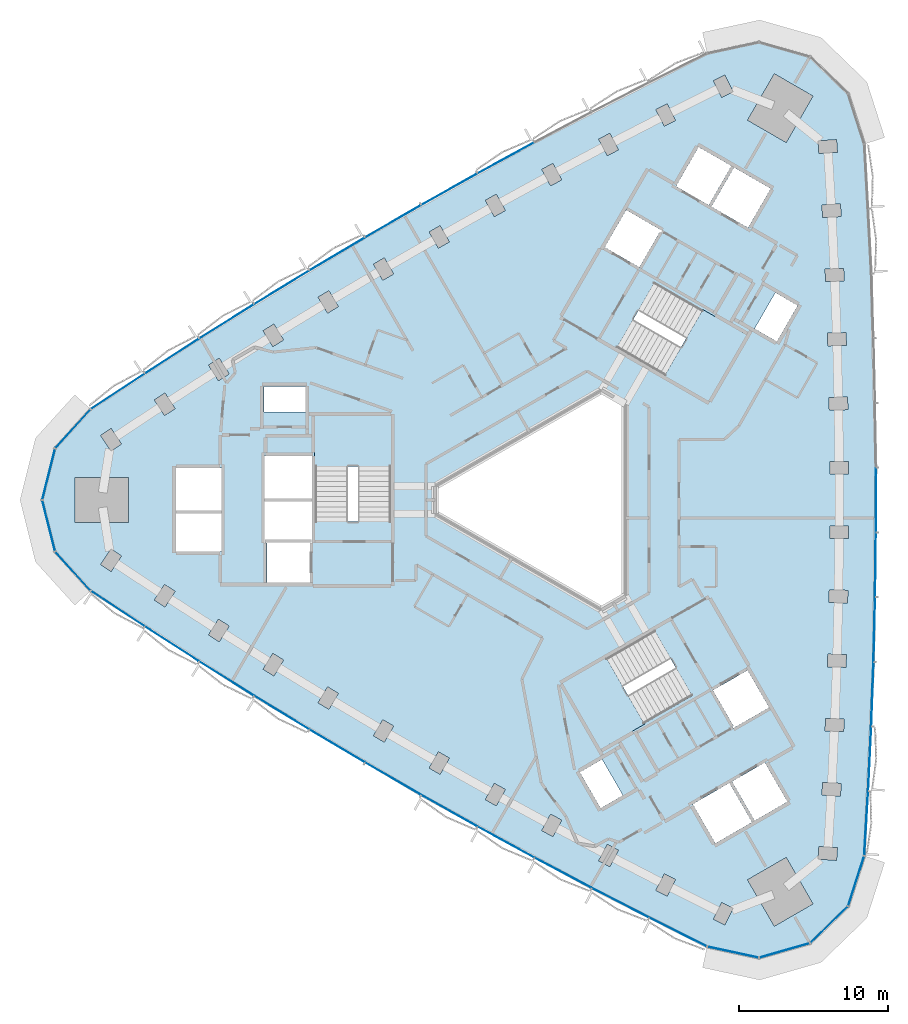
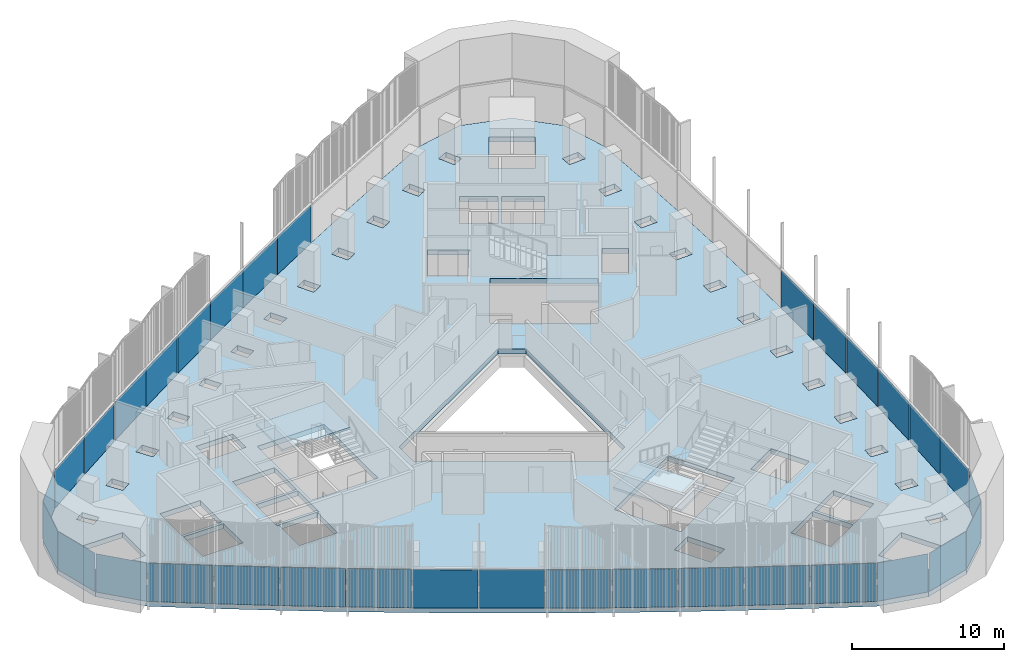
# One storey, part 6 of 14: 33 plates, 4 slabs, 6 elements without a shape of their own.
"""IFC4 building model written with IfcOpenShell, lengths in metres."""

from ifc_helpers import new_model, si_unit, direction, frame, origin, origin_2d, place, context, subcontext, project, spatial, polyline, rectangle, outline, extrude, material, layer, layer_set, type_object, element, aggregate, save


model = new_model("IFC4")

# Units and contexts
model_context = context("Model", 3, precision=1e-05, world=origin(), true_north=direction((0.0, 1.0)))
body_context = subcontext(model_context, "Body", "Model", "MODEL_VIEW")
ifc_project = project(units=[si_unit("LENGTHUNIT", "METRE"), si_unit("AREAUNIT", "SQUARE_METRE"), si_unit("VOLUMEUNIT", "CUBIC_METRE"), si_unit("PLANEANGLEUNIT", "RADIAN"), si_unit("MASSUNIT", "GRAM", prefix="KILO")], contexts=[model_context])

# Site, building, storey
site_placement = place(None, origin())
site = spatial("IfcSite", under=ifc_project, at=site_placement, CompositionType="ELEMENT")
building_placement = place(site_placement, origin())
building = spatial("IfcBuilding", under=site, at=building_placement, Name="Tamra Quay Hotel Tower", CompositionType="ELEMENT")
storey_placement = place(building_placement, frame((0.0, 0.0, 150.39990234375)))
storey = spatial("IfcBuildingStorey", under=building, at=storey_placement, Name="L37", CompositionType="ELEMENT", Elevation=150.39990234375)

# Stair, slab
ifc_material_1 = material(Name="Exit stair 2200 24 risers 150.0 going 342")
stair_type = type_object("IfcStairType", Name="Exit stair 2200 24 risers 150.0 going 342", PredefinedType="HALF_TURN_STAIR", material=ifc_material_1)
stair_1_placement = place(storey_placement, origin())
stair_1 = element("IfcStair", 1, at=stair_1_placement, inside=storey, type_object=stair_type, Name="L37 Exit stair ST3", PredefinedType="HALF_TURN_STAIR")
ifc_material_2 = material(Name="Concrete M70", Category="concrete")
ifc_layer_1 = layer(ifc_material_2, 0.175048828125)
ifc_layer_set_1 = layer_set([ifc_layer_1], Name="Concrete M70 stair landing 180")
slab_type_1 = type_object("IfcSlabType", Name="Concrete M70 stair landing 180", PredefinedType="LANDING", material=ifc_layer_set_1)
slab_1_placement = place(storey_placement, frame((0.0, 0.0, 1.625)))
slab_1 = element("IfcSlab", 2, at=slab_1_placement, type_object=slab_type_1, Name="ST3 landing 1", PredefinedType="LANDING", context=body_context, shape_type="SweptSolid", body=[
    extrude(outline(polyline([(-10.932373046875, 2.261962890625), (-10.932373046875, 5.679931640625), (-16.09130859375, 5.679931640625), (-16.09130859375, 2.261962890625), (-10.932373046875, 2.261962890625)])), origin(), (0.0, 0.0, 1.0), 0.175048828125),
])
aggregate(stair_1, [slab_1])

stair_2_placement = place(storey_placement, origin())
stair_2 = element("IfcStair", 3, at=stair_2_placement, inside=storey, type_object=stair_type, Name="L37 Exit stair ST1", PredefinedType="HALF_TURN_STAIR")
slab_2_placement = place(storey_placement, frame((0.0, 0.0, 1.625)))
slab_2 = element("IfcSlab", 4, at=slab_2_placement, type_object=slab_type_1, Name="ST1 landing 1", PredefinedType="LANDING", context=body_context, shape_type="SweptSolid", body=[
    extrude(outline(polyline([(7.425048828125, 8.336669921875), (10.385009765625, 6.627685546875), (12.964599609375, 11.095458984375), (10.00439453125, 12.804443359375), (7.425048828125, 8.336669921875)])), origin(), (0.0, 0.0, 1.0), 0.175048828125),
])
aggregate(stair_2, [slab_2])

stair_3_placement = place(storey_placement, origin())
stair_3 = element("IfcStair", 5, at=stair_3_placement, inside=storey, type_object=stair_type, Name="L37 Exit stair ST2", PredefinedType="HALF_TURN_STAIR")
slab_3_placement = place(storey_placement, frame((0.0, 0.0, 1.625)))
slab_3 = element("IfcSlab", 6, at=slab_3_placement, type_object=slab_type_1, Name="ST2 landing 1", PredefinedType="LANDING", context=body_context, shape_type="SweptSolid", body=[
    extrude(outline(polyline([(3.50732421875, -10.5986328125), (0.547119140625, -12.3076171875), (3.126708984375, -16.775390625), (6.086669921875, -15.06640625), (3.50732421875, -10.5986328125)])), origin(), (0.0, 0.0, 1.0), 0.175048828125),
])
aggregate(stair_3, [slab_3])

# Slab
ifc_material_3 = material(Name="Concrete M60", Category="concrete")
ifc_layer_2 = layer(ifc_material_3, 0.39990234375)
ifc_layer_set_2 = layer_set([ifc_layer_2], Name="FLOOR SLAB PT 400")
slab_type_2 = type_object("IfcSlabType", Name="FLOOR SLAB PT 400", PredefinedType="FLOOR", material=ifc_layer_set_2)
slab_4_placement = place(storey_placement, frame((0.0, 0.0, -0.39990234375)))
element("IfcSlab", 7, at=slab_4_placement, inside=storey, type_object=slab_type_2, Name="SLAB-L37", PredefinedType="FLOOR", context=body_context, shape_type="SweptSolid", body=[
    extrude(outline(polyline([(21.11181640625, 19.57421875), (21.319580078125, 15.228271484375), (21.4755859375, 10.87841796875), (21.57958984375, 6.527099609375), (21.631591796875, 2.17626953125), (21.631591796875, -2.17626953125), (21.57958984375, -6.527099609375), (21.4755859375, -10.87841796875), (21.319580078125, -15.228271484375), (21.11181640625, -19.57421875), (20.852294921875, -23.918212890625), (19.76171875, -27.31201171875), (17.199951171875, -29.791259765625), (13.772216796875, -30.770263671875), (10.28759765625, -30.017578125), (6.39599609375, -28.0703125), (2.5283203125, -26.077392578125), (-1.31689453125, -24.03759765625), (-5.13720703125, -21.951904296875), (-8.930908203125, -19.821533203125), (-12.700439453125, -17.645263671875), (-16.4423828125, -15.4248046875), (-20.15869140625, -13.1591796875), (-23.84765625, -10.84912109375), (-27.507568359375, -8.49609375), (-31.139892578125, -6.099365234375), (-33.53369140625, -3.4580078125), (-34.39990234375, 0.0), (-33.53369140625, 3.4580078125), (-31.139892578125, 6.099365234375), (-27.507568359375, 8.49609375), (-23.84765625, 10.84912109375), (-20.15869140625, 13.1591796875), (-16.4423828125, 15.4248046875), (-12.700439453125, 17.645263671875), (-8.930908203125, 19.821533203125), (-5.13720703125, 21.951904296875), (-1.31689453125, 24.03759765625), (2.5283203125, 26.077392578125), (6.39599609375, 28.0703125), (10.28759765625, 30.017578125), (13.772216796875, 30.770263671875), (17.199951171875, 29.791259765625), (19.76171875, 27.31201171875), (20.852294921875, 23.918212890625), (21.11181640625, 19.57421875)]), holes=[polyline([(-12.1396484375, -15.846435546875), (-11.406005859375, -16.27587890625), (-10.7744140625, -15.197265625), (-11.5078125, -14.767578125), (-12.1396484375, -15.846435546875)]), polyline([(-15.216796875, -12.561279296875), (-15.86083984375, -13.632568359375), (-15.13232421875, -14.0703125), (-14.48828125, -12.9990234375), (-15.216796875, -12.561279296875)]), polyline([(-18.898193359375, -10.310791015625), (-19.55517578125, -11.3740234375), (-18.83203125, -11.82080078125), (-18.175048828125, -10.757568359375), (-18.898193359375, -10.310791015625)]), polyline([(-22.55224609375, -8.016357421875), (-23.222412109375, -9.071533203125), (-22.5048828125, -9.527099609375), (-21.834716796875, -8.471923828125), (-22.55224609375, -8.016357421875)]), polyline([(-26.179931640625, -5.678466796875), (-26.862060546875, -6.725830078125), (-26.149658203125, -7.189697265625), (-25.467529296875, -6.142333984375), (-26.179931640625, -5.678466796875)]), polyline([(-16.3173828125, -2.85498046875), (-19.4072265625, -2.85498046875), (-19.4072265625, -2.89306640625), (-19.307373046875, -2.89306640625), (-19.307373046875, -5.544921875), (-16.417236328125, -5.544921875), (-16.417236328125, -2.89306640625), (-16.3173828125, -2.89306640625), (-16.3173828125, -2.85498046875)]), polyline([(-29.77880859375, -3.297607421875), (-30.473388671875, -4.3369140625), (-29.7666015625, -4.80908203125), (-29.072021484375, -3.77001953125), (-29.77880859375, -3.297607421875)]), polyline([(-22.3671875, -0.905029296875), (-25.4072265625, -0.905029296875), (-25.4072265625, -3.445068359375), (-22.3671875, -3.445068359375), (-22.3671875, -0.905029296875)]), polyline([(-19.417236328125, -2.89306640625), (-19.417236328125, -2.64501953125), (-16.307373046875, -2.64501953125), (-16.307373046875, -2.89306640625), (-16.26708984375, -2.89306640625), (-16.26708984375, -0.10498046875), (-19.45751953125, -0.10498046875), (-19.45751953125, -2.89306640625), (-19.417236328125, -2.89306640625)]), polyline([(-28.6142578125, 1.5), (-32.214111328125, 1.5), (-32.214111328125, -1.5), (-28.6142578125, -1.5), (-28.6142578125, 1.5)]), polyline([(-25.4072265625, -0.695068359375), (-22.3671875, -0.695068359375), (-22.3671875, 2.14501953125), (-25.4072265625, 2.14501953125), (-25.4072265625, -0.695068359375)]), polyline([(-19.45751953125, 0.10498046875), (-16.26708984375, 0.10498046875), (-16.26708984375, 2.945068359375), (-19.45751953125, 2.945068359375), (-19.45751953125, 0.10498046875)]), polyline([(-16.036376953125, -1.455078125), (-10.9873046875, -1.455078125), (-10.9873046875, 5.625), (-16.036376953125, 5.625), (-16.036376953125, -1.455078125)]), polyline([(-29.072021484375, 3.77001953125), (-29.7666015625, 4.80908203125), (-30.473388671875, 4.3369140625), (-29.77880859375, 3.297607421875), (-29.072021484375, 3.77001953125)]), polyline([(-26.149658203125, 7.189697265625), (-26.862060546875, 6.725830078125), (-26.179931640625, 5.678466796875), (-25.467529296875, 6.142333984375), (-26.149658203125, 7.189697265625)]), polyline([(-16.71728515625, 7.64501953125), (-19.50732421875, 7.64501953125), (-19.50732421875, 5.9150390625), (-16.71728515625, 5.9150390625), (-16.71728515625, 7.64501953125)]), polyline([(-21.834716796875, 8.471923828125), (-22.5048828125, 9.527099609375), (-23.222412109375, 9.071533203125), (-22.55224609375, 8.016357421875), (-21.834716796875, 8.471923828125)]), polyline([(-18.175048828125, 10.757568359375), (-18.83203125, 11.82080078125), (-19.55517578125, 11.3740234375), (-18.898193359375, 10.310791015625), (-18.175048828125, 10.757568359375)]), polyline([(-14.48828125, 12.9990234375), (-15.13232421875, 14.0703125), (-15.86083984375, 13.632568359375), (-15.216796875, 12.561279296875), (-14.48828125, 12.9990234375)]), polyline([(7.414306640625, -25.126708984375), (6.848388671875, -26.2412109375), (7.606201171875, -26.626220703125), (8.17236328125, -25.51171875), (7.414306640625, -25.126708984375)]), polyline([(3.580322265625, -23.1455078125), (3.00146484375, -24.25341796875), (3.7548828125, -24.64697265625), (4.333740234375, -23.5390625), (3.580322265625, -23.1455078125)]), polyline([(-0.821044921875, -22.219482421875), (-0.072509765625, -22.622314453125), (0.519775390625, -21.521484375), (-0.228759765625, -21.118896484375), (-0.821044921875, -22.219482421875)]), polyline([(13.3056640625, -21.65576171875), (11.78564453125, -19.02294921875), (9.325927734375, -20.443115234375), (10.845947265625, -23.075927734375), (13.3056640625, -21.65576171875)]), polyline([(-4.01318359375, -19.046875), (-4.619140625, -20.14013671875), (-3.875732421875, -20.55224609375), (-3.269775390625, -19.458740234375), (-4.01318359375, -19.046875)]), polyline([(1.73779296875, -18.300048828125), (3.1328125, -20.71630859375), (4.631103515625, -19.851318359375), (3.236083984375, -17.43505859375), (1.73779296875, -18.300048828125)]), polyline([(-7.77392578125, -16.9296875), (-8.392333984375, -18.01611328125), (-7.653564453125, -18.436279296875), (-7.035400390625, -17.35009765625), (-7.77392578125, -16.9296875)]), polyline([(9.2783203125, -13.160400390625), (6.75390625, -8.78759765625), (0.622314453125, -12.32763671875), (3.146728515625, -16.7001953125), (9.2783203125, -13.160400390625)]), polyline([(3.199951171875, 7.39013671875), (-8.0, 0.923828125), (-8.0, -0.923828125), (3.199951171875, -7.39013671875), (4.800048828125, -6.46630859375), (4.800048828125, 6.46630859375), (3.199951171875, 7.39013671875)]), polyline([(4.2333984375, 10.242919921875), (10.364990234375, 6.702880859375), (12.889404296875, 11.075439453125), (6.758056640625, 14.615478515625), (4.2333984375, 10.242919921875)]), polyline([(-10.7744140625, 15.197265625), (-11.406005859375, 16.27587890625), (-12.1396484375, 15.846435546875), (-11.5078125, 14.767578125), (-10.7744140625, 15.197265625)]), polyline([(5.736083984375, 15.645263671875), (7.111083984375, 18.02685546875), (7.19775390625, 17.976806640625), (7.267578125, 18.09814453125), (4.8515625, 19.4931640625), (3.406494140625, 16.990234375), (5.736083984375, 15.645263671875)]), polyline([(-7.035400390625, 17.35009765625), (-7.653564453125, 18.436279296875), (-8.392333984375, 18.01611328125), (-7.77392578125, 16.9296875), (-7.035400390625, 17.35009765625)]), polyline([(-3.269775390625, 19.458740234375), (-3.875732421875, 20.55224609375), (-4.619140625, 20.14013671875), (-4.01318359375, 19.046875), (-3.269775390625, 19.458740234375)]), polyline([(8.2001953125, 21.093017578125), (10.39990234375, 19.822998046875), (11.919921875, 22.455810546875), (9.72021484375, 23.725830078125), (8.2001953125, 21.093017578125)]), polyline([(0.519775390625, 21.521484375), (-0.072509765625, 22.622314453125), (-0.821044921875, 22.219482421875), (-0.228759765625, 21.118896484375), (0.519775390625, 21.521484375)]), polyline([(3.7548828125, 24.64697265625), (3.00146484375, 24.25341796875), (3.580322265625, 23.1455078125), (4.333740234375, 23.5390625), (3.7548828125, 24.64697265625)]), polyline([(8.17236328125, 25.51171875), (7.606201171875, 26.626220703125), (6.848388671875, 26.2412109375), (7.414306640625, 25.126708984375), (8.17236328125, 25.51171875)]), polyline([(12.03369140625, 27.43798828125), (11.480712890625, 28.55908203125), (10.718505859375, 28.18310546875), (11.271240234375, 27.06201171875), (12.03369140625, 27.43798828125)]), polyline([(11.271240234375, -27.06201171875), (10.718505859375, -28.18310546875), (11.480712890625, -28.55908203125), (12.03369140625, -27.43798828125), (11.271240234375, -27.06201171875)]), polyline([(13.008056640625, -25.53076171875), (14.80810546875, -28.648193359375), (17.406005859375, -27.148193359375), (15.606201171875, -24.03076171875), (13.008056640625, -25.53076171875)]), polyline([(17.7451171875, -24.140380859375), (18.99267578125, -24.22216796875), (19.048095703125, -23.3740234375), (17.80078125, -23.292236328125), (17.7451171875, -24.140380859375)]), polyline([(14.1669921875, -17.648193359375), (11.96728515625, -18.91796875), (13.487548828125, -21.55078125), (15.68701171875, -20.281005859375), (14.1669921875, -17.648193359375)]), polyline([(19.255859375, -19.900146484375), (19.301513671875, -19.051513671875), (18.05322265625, -18.984375), (18.007568359375, -19.833251953125), (19.255859375, -19.900146484375)]), polyline([(18.218505859375, -15.5224609375), (19.46728515625, -15.5751953125), (19.50341796875, -14.72607421875), (18.25439453125, -14.67333984375), (18.218505859375, -15.5224609375)]), polyline([(10.68115234375, -12.790283203125), (12.05615234375, -15.171875), (11.969482421875, -15.2216796875), (12.03955078125, -15.343017578125), (14.455810546875, -13.947998046875), (13.0107421875, -11.4453125), (10.68115234375, -12.790283203125)]), polyline([(18.37841796875, -11.2109375), (19.627685546875, -11.248291015625), (19.6533203125, -10.398681640625), (18.40380859375, -10.361328125), (18.37841796875, -11.2109375)]), polyline([(18.48681640625, -6.897705078125), (19.736572265625, -6.919677734375), (19.75146484375, -6.06982421875), (18.501708984375, -6.0478515625), (18.48681640625, -6.897705078125)]), polyline([(18.543212890625, -2.582275390625), (19.793212890625, -2.590087890625), (19.79833984375, -1.739990234375), (18.54833984375, -1.732421875), (18.543212890625, -2.582275390625)]), polyline([(18.54833984375, 1.732421875), (19.79833984375, 1.739990234375), (19.793212890625, 2.590087890625), (18.543212890625, 2.582275390625), (18.54833984375, 1.732421875)]), polyline([(18.501708984375, 6.0478515625), (19.75146484375, 6.06982421875), (19.736572265625, 6.919677734375), (18.48681640625, 6.897705078125), (18.501708984375, 6.0478515625)]), polyline([(18.40380859375, 10.361328125), (19.6533203125, 10.398681640625), (19.627685546875, 11.248291015625), (18.37841796875, 11.2109375), (18.40380859375, 10.361328125)]), polyline([(14.9794921875, 10.655029296875), (16.37451171875, 13.0712890625), (14.876220703125, 13.936279296875), (13.481201171875, 11.52001953125), (14.9794921875, 10.655029296875)]), polyline([(18.25439453125, 14.67333984375), (19.50341796875, 14.72607421875), (19.46728515625, 15.5751953125), (18.218505859375, 15.5224609375), (18.25439453125, 14.67333984375)]), polyline([(18.05322265625, 18.984375), (19.301513671875, 19.051513671875), (19.255859375, 19.900146484375), (18.007568359375, 19.833251953125), (18.05322265625, 18.984375)]), polyline([(12.101806640625, 22.350830078125), (10.58154296875, 19.718017578125), (13.041259765625, 18.298095703125), (14.561279296875, 20.930908203125), (12.101806640625, 22.350830078125)]), polyline([(17.80078125, 23.292236328125), (19.048095703125, 23.3740234375), (18.99267578125, 24.22216796875), (17.7451171875, 24.140380859375), (17.80078125, 23.292236328125)]), polyline([(15.606201171875, 24.03076171875), (17.406005859375, 27.148193359375), (14.80810546875, 28.648193359375), (13.008056640625, 25.53076171875), (15.606201171875, 24.03076171875)])]), origin(), (0.0, 0.0, 1.0), 0.39990234375),
])

# Curtain wall, plates
ifc_material_4 = material(Name="Aluminium 6063 anodised dark grey", Category="aluminium")
curtain_wall_type_1 = type_object("IfcCurtainWallType", Name="CW1 CURTAIN WALL", PredefinedType="NOTDEFINED", material=ifc_material_4)
curtain_wall_1_placement = place(storey_placement, origin())
curtain_wall_1 = element("IfcCurtainWall", 8, at=curtain_wall_1_placement, inside=storey, type_object=curtain_wall_type_1, Name="CW1 east face L37", PredefinedType="NOTDEFINED")
ifc_material_5 = material(Name="Glass clear laminated low-iron", Category="glass")
ifc_layer_3 = layer(ifc_material_5, 0.031982421875)
ifc_layer_set_3 = layer_set([ifc_layer_3], Name="GLASS PANEL CW1 Z3")
plate_type_1 = type_object("IfcPlateType", Name="GLASS PANEL CW1 Z3", PredefinedType="CURTAIN_PANEL", material=ifc_layer_set_3)
plate_1_placement = place(storey_placement, frame((20.98193359375, -21.74609375, 0.0), z_axis=(0.0, 0.0, 1.0), x_axis=(0.059641629271, 0.998219853568, 0.0)))
plate_1 = element("IfcPlate", 9, at=plate_1_placement, type_object=plate_type_1, Name="CW1 glass L37.E.1", PredefinedType="CURTAIN_PANEL", context=body_context, shape_type="SweptSolid", body=[
    extrude(rectangle(XDim=4.251708984375, YDim=0.031982421875, at=origin_2d()), origin(), (0.0, 0.0, 1.0), 3.06005859375),
])
plate_2_placement = place(storey_placement, frame((21.215576171875, -17.401123046875, 0.0), z_axis=(0.0, 0.0, 1.0), x_axis=(0.047747439326, 0.998859440581, 0.0)))
plate_2 = element("IfcPlate", 10, at=plate_2_placement, type_object=plate_type_1, Name="CW1 glass L37.E.2", PredefinedType="CURTAIN_PANEL", context=body_context, shape_type="SweptSolid", body=[
    extrude(rectangle(XDim=4.2509765625, YDim=0.031982421875, at=origin_2d()), origin(), (0.0, 0.0, 1.0), 3.06005859375),
])
plate_3_placement = place(storey_placement, frame((21.3974609375, -13.05322265625, 0.0), z_axis=(0.0, 0.0, 1.0), x_axis=(0.035845418958, 0.999357346468, 0.0)))
plate_3 = element("IfcPlate", 11, at=plate_3_placement, type_object=plate_type_1, Name="CW1 glass L37.E.3", PredefinedType="CURTAIN_PANEL", context=body_context, shape_type="SweptSolid", body=[
    extrude(rectangle(XDim=4.252685546875, YDim=0.031982421875, at=origin_2d()), origin(), (0.0, 0.0, 1.0), 3.06005859375),
])
plate_4_placement = place(storey_placement, frame((21.527587890625, -8.70263671875, 0.0), z_axis=(0.0, 0.0, 1.0), x_axis=(0.023895852937, 0.999714453338, 0.0)))
plate_4 = element("IfcPlate", 12, at=plate_4_placement, type_object=plate_type_1, Name="CW1 glass L37.E.4", PredefinedType="CURTAIN_PANEL", context=body_context, shape_type="SweptSolid", body=[
    extrude(rectangle(XDim=4.252685546875, YDim=0.031982421875, at=origin_2d()), origin(), (0.0, 0.0, 1.0), 3.06005859375),
])
plate_5_placement = place(storey_placement, frame((21.60546875, -4.3515625, 0.0), z_axis=(0.0, 0.0, 1.0), x_axis=(0.011956859788, 0.999928514197, 0.0)))
plate_5 = element("IfcPlate", 13, at=plate_5_placement, type_object=plate_type_1, Name="CW1 glass L37.E.5", PredefinedType="CURTAIN_PANEL", context=body_context, shape_type="SweptSolid", body=[
    extrude(rectangle(XDim=4.2509765625, YDim=0.031982421875, at=origin_2d()), origin(), (0.0, 0.0, 1.0), 3.06005859375),
])
plate_6_placement = place(storey_placement, frame((21.631591796875, 0.0, 0.0), z_axis=(0.0, 0.0, 1.0), x_axis=(0.0, 1.0, 0.0)))
plate_6 = element("IfcPlate", 14, at=plate_6_placement, type_object=plate_type_1, Name="CW1 glass L37.E.6", PredefinedType="CURTAIN_PANEL", context=body_context, shape_type="SweptSolid", body=[
    extrude(rectangle(XDim=4.252685546875, YDim=0.031982421875, at=origin_2d()), origin(), (0.0, 0.0, 1.0), 3.06005859375),
])
aggregate(curtain_wall_1, [plate_1, plate_2, plate_3, plate_4, plate_5, plate_6])

curtain_wall_type_2 = type_object("IfcCurtainWallType", Name="CW2 CURTAIN WALL", PredefinedType="NOTDEFINED", material=ifc_material_4)
curtain_wall_2_placement = place(storey_placement, origin())
curtain_wall_2 = element("IfcCurtainWall", 15, at=curtain_wall_2_placement, inside=storey, type_object=curtain_wall_type_2, Name="CW2 north-west face L37", PredefinedType="NOTDEFINED")
ifc_layer_4 = layer(ifc_material_5, 0.031982421875)
ifc_layer_set_4 = layer_set([ifc_layer_4], Name="GLASS PANEL CW2 Z3")
plate_type_2 = type_object("IfcPlateType", Name="GLASS PANEL CW2 Z3", PredefinedType="CURTAIN_PANEL", material=ifc_layer_set_4)
plate_7_placement = place(storey_placement, frame((-3.22705078125, 22.99462890625, 0.0), z_axis=(0.0, 0.0, 1.0), x_axis=(-0.877726039589, -0.479162810981, 0.0)))
plate_7 = element("IfcPlate", 16, at=plate_7_placement, type_object=plate_type_2, Name="CW2 glass L37.NW.4", PredefinedType="CURTAIN_PANEL", context=body_context, shape_type="SweptSolid", body=[
    extrude(rectangle(XDim=4.252685546875, YDim=0.031982421875, at=origin_2d()), origin(), (0.0, 0.0, 1.0), 3.06005859375),
])
plate_8_placement = place(storey_placement, frame((-7.0341796875, 20.88671875, 0.0), z_axis=(0.0, 0.0, 1.0), x_axis=(-0.871941925157, -0.489609312772, 0.0)))
plate_8 = element("IfcPlate", 17, at=plate_8_placement, type_object=plate_type_2, Name="CW2 glass L37.NW.5", PredefinedType="CURTAIN_PANEL", context=body_context, shape_type="SweptSolid", body=[
    extrude(rectangle(XDim=4.2509765625, YDim=0.031982421875, at=origin_2d()), origin(), (0.0, 0.0, 1.0), 3.06005859375),
])
plate_9_placement = place(storey_placement, frame((-10.815673828125, 18.7333984375, 0.0), z_axis=(0.0, 0.0, 1.0), x_axis=(-0.866025403784, -0.5, 0.0)))
plate_9 = element("IfcPlate", 18, at=plate_9_placement, type_object=plate_type_2, Name="CW2 glass L37.NW.6", PredefinedType="CURTAIN_PANEL", context=body_context, shape_type="SweptSolid", body=[
    extrude(rectangle(XDim=4.252685546875, YDim=0.031982421875, at=origin_2d()), origin(), (0.0, 0.0, 1.0), 3.06005859375),
])
plate_10_placement = place(storey_placement, frame((-14.571533203125, 16.53515625, 0.0), z_axis=(0.0, 0.0, 1.0), x_axis=(-0.859985065369, -0.510319201424, 0.0)))
plate_10 = element("IfcPlate", 19, at=plate_10_placement, type_object=plate_type_2, Name="CW2 glass L37.NW.7", PredefinedType="CURTAIN_PANEL", context=body_context, shape_type="SweptSolid", body=[
    extrude(rectangle(XDim=4.2509765625, YDim=0.031982421875, at=origin_2d()), origin(), (0.0, 0.0, 1.0), 3.06005859375),
])
plate_11_placement = place(storey_placement, frame((-18.300537109375, 14.2919921875, 0.0), z_axis=(0.0, 0.0, 1.0), x_axis=(-0.853830186653, -0.520551642357, 0.0)))
plate_11 = element("IfcPlate", 20, at=plate_11_placement, type_object=plate_type_2, Name="CW2 glass L37.NW.8", PredefinedType="CURTAIN_PANEL", context=body_context, shape_type="SweptSolid", body=[
    extrude(rectangle(XDim=4.252685546875, YDim=0.031982421875, at=origin_2d()), origin(), (0.0, 0.0, 1.0), 3.06005859375),
])
plate_12_placement = place(storey_placement, frame((-22.003173828125, 12.004150390625, 0.0), z_axis=(0.0, 0.0, 1.0), x_axis=(-0.847546140021, -0.530721716661, 0.0)))
plate_12 = element("IfcPlate", 21, at=plate_12_placement, type_object=plate_type_2, Name="CW2 glass L37.NW.9", PredefinedType="CURTAIN_PANEL", context=body_context, shape_type="SweptSolid", body=[
    extrude(rectangle(XDim=4.252685546875, YDim=0.031982421875, at=origin_2d()), origin(), (0.0, 0.0, 1.0), 3.06005859375),
])
plate_13_placement = place(storey_placement, frame((-25.677734375, 9.672607421875, 0.0), z_axis=(0.0, 0.0, 1.0), x_axis=(-0.84116393069, -0.540780215713, 0.0)))
plate_13 = element("IfcPlate", 22, at=plate_13_placement, type_object=plate_type_2, Name="CW2 glass L37.NW.10", PredefinedType="CURTAIN_PANEL", context=body_context, shape_type="SweptSolid", body=[
    extrude(rectangle(XDim=4.2509765625, YDim=0.031982421875, at=origin_2d()), origin(), (0.0, 0.0, 1.0), 3.06005859375),
])
plate_14_placement = place(storey_placement, frame((-29.32373046875, 7.2978515625, 0.0), z_axis=(0.0, 0.0, 1.0), x_axis=(-0.834662937117, -0.550761092856, 0.0)))
plate_14 = element("IfcPlate", 23, at=plate_14_placement, type_object=plate_type_2, Name="CW2 glass L37.NW.11", PredefinedType="CURTAIN_PANEL", context=body_context, shape_type="SweptSolid", body=[
    extrude(rectangle(XDim=4.251708984375, YDim=0.031982421875, at=origin_2d()), origin(), (0.0, 0.0, 1.0), 3.06005859375),
])
plate_15_placement = place(storey_placement, frame((-32.3369140625, 4.77880859375, 0.0), z_axis=(0.0, 0.0, 1.0), x_axis=(-0.671549804177, -0.740959418936, 0.0)))
plate_15 = element("IfcPlate", 24, at=plate_15_placement, type_object=plate_type_2, Name="CW2 glass L37.NW.12", PredefinedType="CURTAIN_PANEL", context=body_context, shape_type="SweptSolid", body=[
    extrude(rectangle(XDim=3.46484375, YDim=0.031982421875, at=origin_2d()), origin(), (0.0, 0.0, 1.0), 3.06005859375),
])
plate_16_placement = place(storey_placement, frame((-33.967041015625, 1.72900390625, 0.0), z_axis=(0.0, 0.0, 1.0), x_axis=(-0.242976186667, -0.970032253439, 0.0)))
plate_16 = element("IfcPlate", 25, at=plate_16_placement, type_object=plate_type_2, Name="CW2 glass L37.NW.13", PredefinedType="CURTAIN_PANEL", context=body_context, shape_type="SweptSolid", body=[
    extrude(rectangle(XDim=3.46484375, YDim=0.031982421875, at=origin_2d()), origin(), (0.0, 0.0, 1.0), 3.06005859375),
])
plate_17_placement = place(storey_placement, frame((-33.967041015625, -1.72900390625, 0.0), z_axis=(0.0, 0.0, 1.0), x_axis=(0.242976186667, -0.970032253439, 0.0)))
plate_17 = element("IfcPlate", 26, at=plate_17_placement, type_object=plate_type_2, Name="CW2 glass L37.NW.14", PredefinedType="CURTAIN_PANEL", context=body_context, shape_type="SweptSolid", body=[
    extrude(rectangle(XDim=3.46484375, YDim=0.031982421875, at=origin_2d()), origin(), (0.0, 0.0, 1.0), 3.06005859375),
])
plate_18_placement = place(storey_placement, frame((-32.3369140625, -4.77880859375, 0.0), z_axis=(0.0, 0.0, 1.0), x_axis=(0.671549804177, -0.740959418936, 0.0)))
plate_18 = element("IfcPlate", 27, at=plate_18_placement, type_object=plate_type_2, Name="CW2 glass L37.NW.15", PredefinedType="CURTAIN_PANEL", context=body_context, shape_type="SweptSolid", body=[
    extrude(rectangle(XDim=3.46484375, YDim=0.031982421875, at=origin_2d()), origin(), (0.0, 0.0, 1.0), 3.06005859375),
])
aggregate(curtain_wall_2, [plate_7, plate_8, plate_9, plate_10, plate_11, plate_12, plate_13, plate_14, plate_15, plate_16, plate_17, plate_18])

curtain_wall_type_3 = type_object("IfcCurtainWallType", Name="CW3 CURTAIN WALL", PredefinedType="NOTDEFINED", material=ifc_material_4)
curtain_wall_3_placement = place(storey_placement, origin())
curtain_wall_3 = element("IfcCurtainWall", 28, at=curtain_wall_3_placement, inside=storey, type_object=curtain_wall_type_3, Name="CW3 south-west face L37", PredefinedType="NOTDEFINED")
ifc_layer_5 = layer(ifc_material_5, 0.031982421875)
ifc_layer_set_5 = layer_set([ifc_layer_5], Name="GLASS PANEL CW3 Z3")
plate_type_3 = type_object("IfcPlateType", Name="GLASS PANEL CW3 Z3", PredefinedType="CURTAIN_PANEL", material=ifc_layer_set_5)
plate_19_placement = place(storey_placement, frame((-29.32373046875, -7.2978515625, 0.0), z_axis=(0.0, 0.0, 1.0), x_axis=(0.834662937117, -0.550761092856, 0.0)))
plate_19 = element("IfcPlate", 29, at=plate_19_placement, type_object=plate_type_3, Name="CW3 glass L37.SW.1", PredefinedType="CURTAIN_PANEL", context=body_context, shape_type="SweptSolid", body=[
    extrude(rectangle(XDim=4.251708984375, YDim=0.031982421875, at=origin_2d()), origin(), (0.0, 0.0, 1.0), 3.06005859375),
])
plate_20_placement = place(storey_placement, frame((-25.677734375, -9.672607421875, 0.0), z_axis=(0.0, 0.0, 1.0), x_axis=(0.84116393069, -0.540780215713, 0.0)))
plate_20 = element("IfcPlate", 30, at=plate_20_placement, type_object=plate_type_3, Name="CW3 glass L37.SW.2", PredefinedType="CURTAIN_PANEL", context=body_context, shape_type="SweptSolid", body=[
    extrude(rectangle(XDim=4.2509765625, YDim=0.031982421875, at=origin_2d()), origin(), (0.0, 0.0, 1.0), 3.06005859375),
])
plate_21_placement = place(storey_placement, frame((-22.003173828125, -12.004150390625, 0.0), z_axis=(0.0, 0.0, 1.0), x_axis=(0.847546140021, -0.530721716661, 0.0)))
plate_21 = element("IfcPlate", 31, at=plate_21_placement, type_object=plate_type_3, Name="CW3 glass L37.SW.3", PredefinedType="CURTAIN_PANEL", context=body_context, shape_type="SweptSolid", body=[
    extrude(rectangle(XDim=4.252685546875, YDim=0.031982421875, at=origin_2d()), origin(), (0.0, 0.0, 1.0), 3.06005859375),
])
plate_22_placement = place(storey_placement, frame((-18.300537109375, -14.2919921875, 0.0), z_axis=(0.0, 0.0, 1.0), x_axis=(0.853830186653, -0.520551642357, 0.0)))
plate_22 = element("IfcPlate", 32, at=plate_22_placement, type_object=plate_type_3, Name="CW3 glass L37.SW.4", PredefinedType="CURTAIN_PANEL", context=body_context, shape_type="SweptSolid", body=[
    extrude(rectangle(XDim=4.252685546875, YDim=0.031982421875, at=origin_2d()), origin(), (0.0, 0.0, 1.0), 3.06005859375),
])
plate_23_placement = place(storey_placement, frame((-14.571533203125, -16.53515625, 0.0), z_axis=(0.0, 0.0, 1.0), x_axis=(0.859985065369, -0.510319201424, 0.0)))
plate_23 = element("IfcPlate", 33, at=plate_23_placement, type_object=plate_type_3, Name="CW3 glass L37.SW.5", PredefinedType="CURTAIN_PANEL", context=body_context, shape_type="SweptSolid", body=[
    extrude(rectangle(XDim=4.2509765625, YDim=0.031982421875, at=origin_2d()), origin(), (0.0, 0.0, 1.0), 3.06005859375),
])
plate_24_placement = place(storey_placement, frame((-10.815673828125, -18.7333984375, 0.0), z_axis=(0.0, 0.0, 1.0), x_axis=(0.866025403784, -0.5, 0.0)))
plate_24 = element("IfcPlate", 34, at=plate_24_placement, type_object=plate_type_3, Name="CW3 glass L37.SW.6", PredefinedType="CURTAIN_PANEL", context=body_context, shape_type="SweptSolid", body=[
    extrude(rectangle(XDim=4.252685546875, YDim=0.031982421875, at=origin_2d()), origin(), (0.0, 0.0, 1.0), 3.06005859375),
])
plate_25_placement = place(storey_placement, frame((-7.0341796875, -20.88671875, 0.0), z_axis=(0.0, 0.0, 1.0), x_axis=(0.871941925157, -0.489609312772, 0.0)))
plate_25 = element("IfcPlate", 35, at=plate_25_placement, type_object=plate_type_3, Name="CW3 glass L37.SW.7", PredefinedType="CURTAIN_PANEL", context=body_context, shape_type="SweptSolid", body=[
    extrude(rectangle(XDim=4.2509765625, YDim=0.031982421875, at=origin_2d()), origin(), (0.0, 0.0, 1.0), 3.06005859375),
])
plate_26_placement = place(storey_placement, frame((-3.22705078125, -22.99462890625, 0.0), z_axis=(0.0, 0.0, 1.0), x_axis=(0.877726039589, -0.479162810981, 0.0)))
plate_26 = element("IfcPlate", 36, at=plate_26_placement, type_object=plate_type_3, Name="CW3 glass L37.SW.8", PredefinedType="CURTAIN_PANEL", context=body_context, shape_type="SweptSolid", body=[
    extrude(rectangle(XDim=4.252685546875, YDim=0.031982421875, at=origin_2d()), origin(), (0.0, 0.0, 1.0), 3.06005859375),
])
plate_27_placement = place(storey_placement, frame((0.605712890625, -25.057373046875, 0.0), z_axis=(0.0, 0.0, 1.0), x_axis=(0.883391558979, -0.468635629808, 0.0)))
plate_27 = element("IfcPlate", 37, at=plate_27_placement, type_object=plate_type_3, Name="CW3 glass L37.SW.9", PredefinedType="CURTAIN_PANEL", context=body_context, shape_type="SweptSolid", body=[
    extrude(rectangle(XDim=4.252685546875, YDim=0.031982421875, at=origin_2d()), origin(), (0.0, 0.0, 1.0), 3.06005859375),
])
plate_28_placement = place(storey_placement, frame((4.462158203125, -27.073974609375, 0.0), z_axis=(0.0, 0.0, 1.0), x_axis=(0.888911370016, -0.458079224868, 0.0)))
plate_28 = element("IfcPlate", 38, at=plate_28_placement, type_object=plate_type_3, Name="CW3 glass L37.SW.10", PredefinedType="CURTAIN_PANEL", context=body_context, shape_type="SweptSolid", body=[
    extrude(rectangle(XDim=4.2509765625, YDim=0.031982421875, at=origin_2d()), origin(), (0.0, 0.0, 1.0), 3.06005859375),
])
plate_29_placement = place(storey_placement, frame((8.341796875, -29.0439453125, 0.0), z_axis=(0.0, 0.0, 1.0), x_axis=(0.894304566387, -0.447458760713, 0.0)))
plate_29 = element("IfcPlate", 39, at=plate_29_placement, type_object=plate_type_3, Name="CW3 glass L37.SW.11", PredefinedType="CURTAIN_PANEL", context=body_context, shape_type="SweptSolid", body=[
    extrude(rectangle(XDim=4.251708984375, YDim=0.031982421875, at=origin_2d()), origin(), (0.0, 0.0, 1.0), 3.06005859375),
])
plate_30_placement = place(storey_placement, frame((12.030029296875, -30.393798828125, 0.0), z_axis=(0.0, 0.0, 1.0), x_axis=(0.97746458206, -0.211099480856, 0.0)))
plate_30 = element("IfcPlate", 40, at=plate_30_placement, type_object=plate_type_3, Name="CW3 glass L37.SW.12", PredefinedType="CURTAIN_PANEL", context=body_context, shape_type="SweptSolid", body=[
    extrude(rectangle(XDim=3.46484375, YDim=0.031982421875, at=origin_2d()), origin(), (0.0, 0.0, 1.0), 3.06005859375),
])
plate_31_placement = place(storey_placement, frame((15.486083984375, -30.28076171875, 0.0), z_axis=(0.0, 0.0, 1.0), x_axis=(0.961560667302, 0.274592576551, 0.0)))
plate_31 = element("IfcPlate", 41, at=plate_31_placement, type_object=plate_type_3, Name="CW3 glass L37.SW.13", PredefinedType="CURTAIN_PANEL", context=body_context, shape_type="SweptSolid", body=[
    extrude(rectangle(XDim=3.46484375, YDim=0.031982421875, at=origin_2d()), origin(), (0.0, 0.0, 1.0), 3.06005859375),
])
plate_32_placement = place(storey_placement, frame((18.480712890625, -28.5517578125, 0.0), z_axis=(0.0, 0.0, 1.0), x_axis=(0.718584480635, 0.695439676888, 0.0)))
plate_32 = element("IfcPlate", 42, at=plate_32_placement, type_object=plate_type_3, Name="CW3 glass L37.SW.14", PredefinedType="CURTAIN_PANEL", context=body_context, shape_type="SweptSolid", body=[
    extrude(rectangle(XDim=3.46484375, YDim=0.031982421875, at=origin_2d()), origin(), (0.0, 0.0, 1.0), 3.06005859375),
])
plate_33_placement = place(storey_placement, frame((20.306884765625, -25.615234375, 0.0), z_axis=(0.0, 0.0, 1.0), x_axis=(0.305914777883, 0.952058899792, 0.0)))
plate_33 = element("IfcPlate", 43, at=plate_33_placement, type_object=plate_type_3, Name="CW3 glass L37.SW.15", PredefinedType="CURTAIN_PANEL", context=body_context, shape_type="SweptSolid", body=[
    extrude(rectangle(XDim=3.46484375, YDim=0.031982421875, at=origin_2d()), origin(), (0.0, 0.0, 1.0), 3.06005859375),
])
aggregate(curtain_wall_3, [plate_19, plate_20, plate_21, plate_22, plate_23, plate_24, plate_25, plate_26, plate_27, plate_28, plate_29, plate_30, plate_31, plate_32, plate_33])

save(model, "model.ifc")
